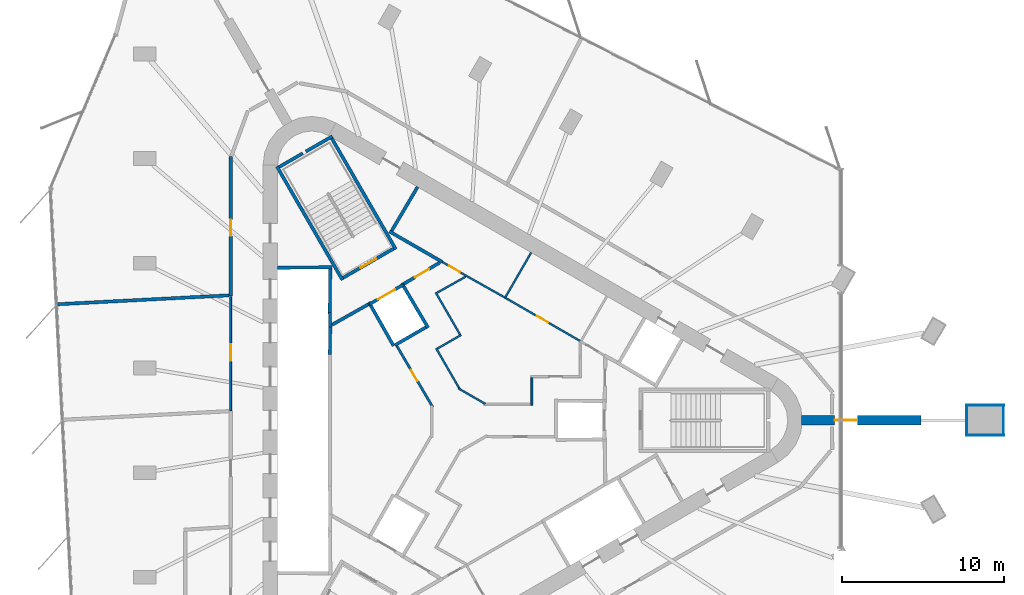
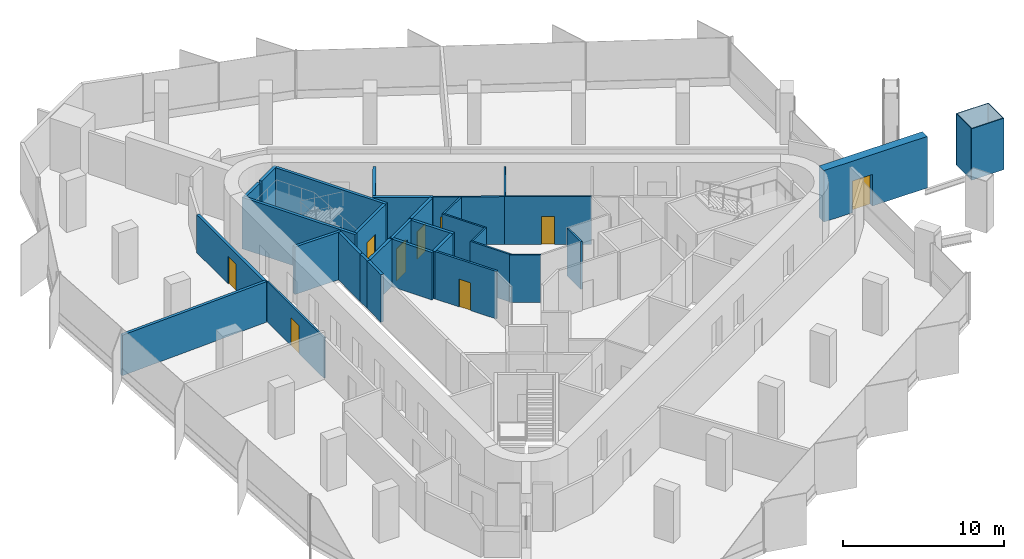
# One storey, part 9 of 12: 36 walls, 9 doors, 9 openings.
"""IFC4 building model written with IfcOpenShell, lengths in metres."""

from ifc_helpers import new_model, si_unit, direction, frame, frame_2d, origin, place, context, subcontext, project, spatial, rectangle, extrude, material, layer, layer_set, type_object, element, fill, save


model = new_model("IFC4")

# Units and contexts
model_context = context("Model", 3, precision=1e-05, world=origin(), true_north=direction((0.0, 1.0)))
body_context = subcontext(model_context, "Body", "Model", "MODEL_VIEW")
ifc_project = project(units=[si_unit("LENGTHUNIT", "METRE"), si_unit("AREAUNIT", "SQUARE_METRE"), si_unit("VOLUMEUNIT", "CUBIC_METRE"), si_unit("PLANEANGLEUNIT", "RADIAN"), si_unit("MASSUNIT", "GRAM", prefix="KILO")], contexts=[model_context])

# Site, building, storey
site_placement = place(None, origin())
site = spatial("IfcSite", under=ifc_project, at=site_placement, CompositionType="ELEMENT")
building_placement = place(site_placement, origin())
building = spatial("IfcBuilding", under=site, at=building_placement, Name="Tanit Gate Tower", CompositionType="ELEMENT")
storey_placement = place(building_placement, frame((0.0, 0.0, 365.0)))
storey = spatial("IfcBuildingStorey", under=building, at=storey_placement, Name="L83", CompositionType="ELEMENT", Elevation=365.0)

# Wall, opening, door
ifc_material_1 = material(Name="Concrete C40/50", Category="concrete")
ifc_layer_1 = layer(ifc_material_1, 0.60009765625)
ifc_layer_set_1 = layer_set([ifc_layer_1], Name="BUTTRESS FIN 600 C40/50")
wall_type_1 = type_object("IfcWallType", Name="BUTTRESS FIN 600 C40/50", PredefinedType="SHEAR", material=ifc_layer_set_1)
wall_1_placement = place(storey_placement, frame((21.14990234375, 0.0, 0.0), z_axis=(0.0, 0.0, 1.0), x_axis=(1.0, 0.0, 0.0)))
wall_1 = element("IfcWall", 1, at=wall_1_placement, inside=storey, type_object=wall_type_1, Name="BUTTRESS FIN", PredefinedType="SHEAR", context=body_context, shape_type="SweptSolid", body=[
    extrude(rectangle(XDim=7.387939453125, YDim=0.60009765625, at=frame_2d((3.69384765625, 0.0))), origin(), (0.0, 0.0, 1.0), 3.89990234375),
])
opening_1_placement = place(wall_1_placement, frame((2.050048828125, 0.0, 0.0)))
opening_1 = element("IfcOpeningElement", 2, at=opening_1_placement, cuts=wall_1, Name="Opening P14-83-F-E-1", PredefinedType="OPENING", context=body_context, shape_type="SweptSolid", body=[
    extrude(rectangle(XDim=1.39990234375, YDim=2.39990234375, at=frame_2d((0.699951171875, 1.199951171875))), frame((0.0, 0.31005859375, 0.0), z_axis=(0.0, -1.0, 0.0), x_axis=(1.0, 0.0, 0.0)), (0.0, 0.0, 1.0), 0.6201171875),
])
ifc_material_2 = material(Name="Timber door leaf", Category="wood")
door_type_1 = type_object("IfcDoorType", Name="INT-DOOR-FIN-PAIR-1400", OperationType="NOTDEFINED", PredefinedType="NOTDEFINED", material=ifc_material_2)
door_1_placement = place(opening_1_placement, origin())
door_1 = element("IfcDoor", 3, at=door_1_placement, inside=storey, type_object=door_type_1, Name="Door P14-83-F-E-1", OperationType="DOUBLE_DOOR_SINGLE_SWING", OverallHeight=2.39990234375, OverallWidth=1.39990234375, PredefinedType="NOTDEFINED", context=body_context, shape_type="SweptSolid", body=[
    extrude(rectangle(XDim=1.39990234375, YDim=2.39990234375, at=frame_2d((0.699951171875, 1.199951171875))), frame((0.0, 0.02490234375, 0.0), z_axis=(0.0, -1.0, 0.0), x_axis=(1.0, 0.0, 0.0)), (0.0, 0.0, 1.0), 0.050048828125),
])
fill(opening_1, door_1)

# Walls
ifc_material_3 = material(Name="Bronze anodised aluminium cladding", Category="aluminium")
ifc_layer_2 = layer(ifc_material_3, 0.06005859375)
ifc_layer_set_2 = layer_set([ifc_layer_2], Name="Column casing bronze 60")
wall_type_2 = type_object("IfcWallType", Name="Column casing bronze 60", PredefinedType="SOLIDWALL", material=ifc_layer_set_2)
for number, where, z_axis, x_axis, name in (
    (4, (31.33154296875, 0.929931640625, 0.0), (0.0, 0.0, 1.0), (1.0, 0.0, 0.0), "Column casing L83 M-E.L1"),
    (5, (31.33154296875, -0.929931640625, 0.0), (0.0, 0.0, 1.0), (1.0, 0.0, 0.0), "Column casing L83 M-E.L2"),
):
    element("IfcWall", number, at=place(storey_placement, frame(where, z_axis=z_axis, x_axis=x_axis)), inside=storey, type_object=wall_type_2, Name=name, PredefinedType="SOLIDWALL", context=body_context, shape_type="SweptSolid", body=[
        extrude(rectangle(XDim=2.320068359375, YDim=0.06005859375, at=frame_2d((1.16015625, 0.0))), origin(), (0.0, 0.0, 1.0), 3.89990234375),
    ])
for number, where, z_axis, x_axis, name in (
    (6, (33.62158203125, -0.89990234375, 0.0), (0.0, 0.0, 1.0), (0.0, 1.0, 0.0), "Column casing L83 M-E.S1"),
    (7, (31.361572265625, -0.89990234375, 0.0), (0.0, 0.0, 1.0), (0.0, 1.0, 0.0), "Column casing L83 M-E.S2"),
):
    element("IfcWall", number, at=place(storey_placement, frame(where, z_axis=z_axis, x_axis=x_axis)), inside=storey, type_object=wall_type_2, Name=name, PredefinedType="SOLIDWALL", context=body_context, shape_type="SweptSolid", body=[
        extrude(rectangle(XDim=1.7998046875, YDim=0.06005859375, at=frame_2d((0.89990234375, 0.0))), origin(), (0.0, 0.0, 1.0), 3.89990234375),
    ])
ifc_material_4 = material(Name="Fire-rated gypsum board partition")
ifc_layer_3 = layer(ifc_material_4, 0.199951171875)
ifc_layer_set_3 = layer_set([ifc_layer_3], Name="INT-WALL-COMPARTMENT")
wall_type_3 = type_object("IfcWallType", Name="INT-WALL-COMPARTMENT", PredefinedType="PARTITIONING", material=ifc_layer_set_3)
wall_2_placement = place(storey_placement, frame((-4.295654296875, 11.659912109375, 0.0), z_axis=(0.0, 0.0, 1.0), x_axis=(0.866027389382, -0.499996560828, 0.0)))
element("IfcWall", 8, at=wall_2_placement, inside=storey, type_object=wall_type_3, Name="Wall Compartment W052", PredefinedType="PARTITIONING", context=body_context, shape_type="SweptSolid", body=[
    extrude(rectangle(XDim=3.77783203125, YDim=0.199951171875, at=frame_2d((1.888916015625, 0.0))), origin(), (0.0, 0.0, 1.0), 3.60009765625),
])
wall_3_placement = place(storey_placement, frame((-2.557861328125, 14.409423828125, 0.0), z_axis=(0.0, 0.0, 1.0), x_axis=(-0.508018930956, -0.861345903683, 0.0)))
element("IfcWall", 9, at=wall_3_placement, inside=storey, type_object=wall_type_3, Name="Wall Compartment W053", PredefinedType="PARTITIONING", context=body_context, shape_type="SweptSolid", body=[
    extrude(rectangle(XDim=3.150146484375, YDim=0.199951171875, at=frame_2d((1.5751953125, 0.0))), origin(), (0.0, 0.0, 1.0), 3.60009765625),
])
wall_4_placement = place(storey_placement, frame((-5.600341796875, 7.16015625, 0.0), z_axis=(0.0, 0.0, 1.0), x_axis=(-0.871340486379, -0.490678873396, 0.0)))
element("IfcWall", 10, at=wall_4_placement, inside=storey, type_object=wall_type_3, Name="Wall Compartment W065", PredefinedType="PARTITIONING", context=body_context, shape_type="SweptSolid", body=[
    extrude(rectangle(XDim=2.580810546875, YDim=0.199951171875, at=frame_2d((1.29052734375, 0.0))), origin(), (0.0, 0.0, 1.0), 3.60009765625),
])

# Wall, opening, door
wall_5_placement = place(storey_placement, frame((-1.1787109375, 9.744873046875, 0.0), z_axis=(0.0, 0.0, 1.0), x_axis=(-0.860630814782, -0.509229418482, 0.0)))
wall_5 = element("IfcWall", 11, at=wall_5_placement, inside=storey, type_object=wall_type_3, Name="Wall Compartment W066", PredefinedType="PARTITIONING", context=body_context, shape_type="SweptSolid", body=[
    extrude(rectangle(XDim=2.581787109375, YDim=0.199951171875, at=frame_2d((1.291015625, 0.0))), origin(), (0.0, 0.0, 1.0), 3.60009765625),
])
opening_2_placement = place(wall_5_placement, frame((0.791015625, 0.0, 0.0)))
opening_2 = element("IfcOpeningElement", 12, at=opening_2_placement, cuts=wall_5, Name="Opening F10-83-05", PredefinedType="OPENING", context=body_context, shape_type="SweptSolid", body=[
    extrude(rectangle(XDim=1.0, YDim=2.10009765625, at=frame_2d((0.5, 1.050048828125))), frame((0.0, 0.10986328125, 0.0), z_axis=(0.0, -1.0, 0.0), x_axis=(1.0, 0.0, 0.0)), (0.0, 0.0, 1.0), 0.219970703125),
])
ifc_material_5 = material(Name="Fire-rated steel door leaf", Category="steel")
door_type_2 = type_object("IfcDoorType", Name="INT-DOOR-FIRE-1000", OperationType="NOTDEFINED", PredefinedType="USERDEFINED", material=ifc_material_5)
door_2_placement = place(opening_2_placement, origin())
door_2 = element("IfcDoor", 13, at=door_2_placement, inside=storey, type_object=door_type_2, Name="Door F10-83-05", ObjectType="FIRE DOOR", OperationType="SINGLE_SWING_RIGHT", OverallHeight=2.10009765625, OverallWidth=1.0, PredefinedType="USERDEFINED", context=body_context, shape_type="SweptSolid", body=[
    extrude(rectangle(XDim=1.0, YDim=2.10009765625, at=frame_2d((0.5, 1.050048828125))), frame((0.0, 0.02490234375, 0.0), z_axis=(0.0, -1.0, 0.0), x_axis=(1.0, 0.0, 0.0)), (0.0, 0.0, 1.0), 0.050048828125),
])
fill(opening_2, door_2)

wall_6_placement = place(storey_placement, frame((-14.10009765625, 16.293701171875, 0.0), z_axis=(0.0, 0.0, 1.0), x_axis=(0.0, -1.0, 0.0)))
wall_6 = element("IfcWall", 14, at=wall_6_placement, inside=storey, type_object=wall_type_3, Name="Wall Compartment W087", PredefinedType="PARTITIONING", context=body_context, shape_type="SweptSolid", body=[
    extrude(rectangle(XDim=8.63330078125, YDim=0.199951171875, at=frame_2d((4.316650390625, 0.0))), origin(), (0.0, 0.0, 1.0), 2.8798828125),
])
opening_3_placement = place(wall_6_placement, frame((3.89990234375, 0.0, 0.0)))
opening_3 = element("IfcOpeningElement", 15, at=opening_3_placement, cuts=wall_6, Name="Opening F10-83-19", PredefinedType="OPENING", context=body_context, shape_type="SweptSolid", body=[
    extrude(rectangle(XDim=1.0, YDim=2.10009765625, at=frame_2d((0.5, 1.050048828125))), frame((0.0, 0.10986328125, 0.0), z_axis=(0.0, -1.0, 0.0), x_axis=(1.0, 0.0, 0.0)), (0.0, 0.0, 1.0), 0.219970703125),
])
door_3_placement = place(opening_3_placement, origin())
door_3 = element("IfcDoor", 16, at=door_3_placement, inside=storey, type_object=door_type_2, Name="Door F10-83-19", ObjectType="FIRE DOOR", OperationType="SINGLE_SWING_RIGHT", OverallHeight=2.10009765625, OverallWidth=1.0, PredefinedType="USERDEFINED", context=body_context, shape_type="SweptSolid", body=[
    extrude(rectangle(XDim=1.0, YDim=2.10009765625, at=frame_2d((0.5, 1.050048828125))), frame((0.0, 0.02490234375, 0.0), z_axis=(0.0, -1.0, 0.0), x_axis=(1.0, 0.0, 0.0)), (0.0, 0.0, 1.0), 0.050048828125),
])
fill(opening_3, door_3)

# Walls
wall_7_placement = place(storey_placement, frame((-24.857666015625, 7.161865234375, 0.0), z_axis=(0.0, 0.0, 1.0), x_axis=(0.998654301948, 0.051861210943, 0.0)))
element("IfcWall", 17, at=wall_7_placement, inside=storey, type_object=wall_type_3, Name="Wall Compartment W096", PredefinedType="PARTITIONING", context=body_context, shape_type="SweptSolid", body=[
    extrude(rectangle(XDim=10.672119140625, YDim=0.199951171875, at=frame_2d((5.3359375, 0.0))), origin(), (0.0, 0.0, 1.0), 3.070068359375),
])
ifc_material_6 = material(Name="Gypsum board partition")
ifc_layer_4 = layer(ifc_material_6, 0.1201171875)
ifc_layer_set_4 = layer_set([ifc_layer_4], Name="INT-WALL-PARTITION")
wall_type_4 = type_object("IfcWallType", Name="INT-WALL-PARTITION", PredefinedType="PARTITIONING", material=ifc_layer_set_4)
wall_8_placement = place(storey_placement, frame((2.831787109375, 7.544921875, 0.0), z_axis=(0.0, 0.0, 1.0), x_axis=(0.500017246033, 0.866015446554, 0.0)))
element("IfcWall", 18, at=wall_8_placement, inside=storey, type_object=wall_type_4, Name="Wall Partition W050", PredefinedType="PARTITIONING", context=body_context, shape_type="SweptSolid", body=[
    extrude(rectangle(XDim=3.25, YDim=0.1201171875, at=frame_2d((1.625, 0.0))), origin(), (0.0, 0.0, 1.0), 3.60009765625),
])

# Wall, opening, door
wall_9_placement = place(storey_placement, frame((7.497314453125, 4.885986328125, 0.0), z_axis=(0.0, 0.0, 1.0), x_axis=(-0.866028230842, 0.499995103361, 0.0)))
wall_9 = element("IfcWall", 19, at=wall_9_placement, inside=storey, type_object=wall_type_4, Name="Wall Partition W051", PredefinedType="PARTITIONING", context=body_context, shape_type="SweptSolid", body=[
    extrude(rectangle(XDim=5.39990234375, YDim=0.1201171875, at=frame_2d((2.699951171875, 0.0))), origin(), (0.0, 0.0, 1.0), 3.60009765625),
])
opening_4_placement = place(wall_9_placement, frame((2.300048828125, 0.0, 0.0)))
opening_4 = element("IfcOpeningElement", 20, at=opening_4_placement, cuts=wall_9, Name="Opening R08-83-14", PredefinedType="OPENING", context=body_context, shape_type="SweptSolid", body=[
    extrude(rectangle(XDim=0.800048828125, YDim=2.10009765625, at=frame_2d((0.39990234375, 1.050048828125))), frame((0.0, 0.070068359375, 0.0), z_axis=(0.0, -1.0, 0.0), x_axis=(1.0, 0.0, 0.0)), (0.0, 0.0, 1.0), 0.14013671875),
])
ifc_material_7 = material(Name="Timber door leaf", Category="wood")
door_type_3 = type_object("IfcDoorType", Name="INT-DOOR-RISER-800", OperationType="NOTDEFINED", PredefinedType="USERDEFINED", material=ifc_material_7)
door_4_placement = place(opening_4_placement, origin())
door_4 = element("IfcDoor", 21, at=door_4_placement, inside=storey, type_object=door_type_3, Name="Door R08-83-14", ObjectType="FIRE DOOR", OperationType="SINGLE_SWING_LEFT", OverallHeight=2.10009765625, OverallWidth=0.800048828125, PredefinedType="USERDEFINED", context=body_context, shape_type="SweptSolid", body=[
    extrude(rectangle(XDim=0.800048828125, YDim=2.10009765625, at=frame_2d((0.39990234375, 1.050048828125))), frame((0.0, 0.02490234375, 0.0), z_axis=(0.0, -1.0, 0.0), x_axis=(1.0, 0.0, 0.0)), (0.0, 0.0, 1.0), 0.050048828125),
])
fill(opening_4, door_4)

# Wall
wall_10_placement = place(storey_placement, frame((2.82080078125, 7.5859375, 0.0), z_axis=(0.0, 0.0, 1.0), x_axis=(-0.871426548871, 0.490526013503, 0.0)))
element("IfcWall", 22, at=wall_10_placement, inside=storey, type_object=wall_type_4, Name="Wall Partition W054", PredefinedType="PARTITIONING", context=body_context, shape_type="SweptSolid", body=[
    extrude(rectangle(XDim=2.670166015625, YDim=0.1201171875, at=frame_2d((1.3349609375, 0.0))), origin(), (0.0, 0.0, 1.0), 3.60009765625),
])

# Wall, opening, door
wall_11_placement = place(storey_placement, frame((-1.02392578125, 9.77099609375, 0.0), z_axis=(0.0, 0.0, 1.0), x_axis=(0.866039397417, -0.499975761534, 0.0)))
wall_11 = element("IfcWall", 23, at=wall_11_placement, inside=storey, type_object=wall_type_4, Name="Wall Partition W055", PredefinedType="PARTITIONING", context=body_context, shape_type="SweptSolid", body=[
    extrude(rectangle(XDim=1.751953125, YDim=0.1201171875, at=frame_2d((0.8759765625, 0.0))), origin(), (0.0, 0.0, 1.0), 3.60009765625),
])
opening_5_placement = place(wall_11_placement, frame((0.4658203125, 0.0, 0.0)))
opening_5 = element("IfcOpeningElement", 24, at=opening_5_placement, cuts=wall_11, Name="Opening R08-83-15", PredefinedType="OPENING", context=body_context, shape_type="SweptSolid", body=[
    extrude(rectangle(XDim=0.800048828125, YDim=2.10009765625, at=frame_2d((0.39990234375, 1.050048828125))), frame((0.0, 0.070068359375, 0.0), z_axis=(0.0, -1.0, 0.0), x_axis=(1.0, 0.0, 0.0)), (0.0, 0.0, 1.0), 0.14013671875),
])
door_5_placement = place(opening_5_placement, origin())
door_5 = element("IfcDoor", 25, at=door_5_placement, inside=storey, type_object=door_type_3, Name="Door R08-83-15", ObjectType="FIRE DOOR", OperationType="SINGLE_SWING_RIGHT", OverallHeight=2.10009765625, OverallWidth=0.800048828125, PredefinedType="USERDEFINED", context=body_context, shape_type="SweptSolid", body=[
    extrude(rectangle(XDim=0.800048828125, YDim=2.10009765625, at=frame_2d((0.39990234375, 1.050048828125))), frame((0.0, 0.02490234375, 0.0), z_axis=(0.0, -1.0, 0.0), x_axis=(1.0, 0.0, 0.0)), (0.0, 0.0, 1.0), 0.050048828125),
])
fill(opening_5, door_5)

# Walls
wall_12_placement = place(storey_placement, frame((4.5, 0.93994140625, 0.0), z_axis=(0.0, 0.0, 1.0), x_axis=(0.0, 1.0, 0.0)))
element("IfcWall", 26, at=wall_12_placement, inside=storey, type_object=wall_type_4, Name="Wall Partition W080", PredefinedType="PARTITIONING", context=body_context, shape_type="SweptSolid", body=[
    extrude(rectangle(XDim=1.699951171875, YDim=0.1201171875, at=frame_2d((0.85009765625, 0.0))), origin(), (0.0, 0.0, 1.0), 3.60009765625),
])
wall_13_placement = place(storey_placement, frame((-0.046630859375, 1.97705078125, 0.0), z_axis=(0.0, 0.0, 1.0), x_axis=(0.865998615205, -0.500046396311, 0.0)))
element("IfcWall", 27, at=wall_13_placement, inside=storey, type_object=wall_type_4, Name="Wall Partition W082", PredefinedType="PARTITIONING", context=body_context, shape_type="SweptSolid", body=[
    extrude(rectangle(XDim=1.935302734375, YDim=0.1201171875, at=frame_2d((0.9677734375, 0.0))), origin(), (0.0, 0.0, 1.0), 3.60009765625),
])
wall_14_placement = place(storey_placement, frame((-1.4140625, 4.448974609375, 0.0), z_axis=(0.0, 0.0, 1.0), x_axis=(0.500028961621, -0.866008682139, 0.0)))
element("IfcWall", 28, at=wall_14_placement, inside=storey, type_object=wall_type_4, Name="Wall Partition W083", PredefinedType="PARTITIONING", context=body_context, shape_type="SweptSolid", body=[
    extrude(rectangle(XDim=2.895751953125, YDim=0.1201171875, at=frame_2d((1.44775390625, 0.0))), origin(), (0.0, 0.0, 1.0), 3.60009765625),
])
wall_15_placement = place(storey_placement, frame((0.14013671875, 5.277099609375, 0.0), z_axis=(0.0, 0.0, 1.0), x_axis=(-0.865989465428, -0.500062241894, 0.0)))
element("IfcWall", 29, at=wall_15_placement, inside=storey, type_object=wall_type_4, Name="Wall Partition W084", PredefinedType="PARTITIONING", context=body_context, shape_type="SweptSolid", body=[
    extrude(rectangle(XDim=1.699951171875, YDim=0.1201171875, at=frame_2d((0.85009765625, 0.0))), origin(), (0.0, 0.0, 1.0), 3.60009765625),
])
wall_16_placement = place(storey_placement, frame((-1.441650390625, 7.897216796875, 0.0), z_axis=(0.0, 0.0, 1.0), x_axis=(0.499990139034, -0.866031096941, 0.0)))
element("IfcWall", 30, at=wall_16_placement, inside=storey, type_object=wall_type_4, Name="Wall Partition W085", PredefinedType="PARTITIONING", context=body_context, shape_type="SweptSolid", body=[
    extrude(rectangle(XDim=3.0, YDim=0.1201171875, at=frame_2d((1.5, 0.0))), origin(), (0.0, 0.0, 1.0), 3.60009765625),
])
wall_17_placement = place(storey_placement, frame((0.414306640625, 8.87109375, 0.0), z_axis=(0.0, 0.0, 1.0), x_axis=(-0.871809386997, -0.48984527429, 0.0)))
element("IfcWall", 31, at=wall_17_placement, inside=storey, type_object=wall_type_4, Name="Wall Partition W086", PredefinedType="PARTITIONING", context=body_context, shape_type="SweptSolid", body=[
    extrude(rectangle(XDim=2.034423828125, YDim=0.1201171875, at=frame_2d((1.01708984375, 0.0))), origin(), (0.0, 0.0, 1.0), 3.60009765625),
])

# Wall, opening, door
wall_18_placement = place(storey_placement, frame((-14.10009765625, 7.620361328125, 0.0), z_axis=(0.0, 0.0, 1.0), x_axis=(0.0, -1.0, 0.0)))
wall_18 = element("IfcWall", 32, at=wall_18_placement, inside=storey, type_object=wall_type_4, Name="Wall Partition W090", PredefinedType="PARTITIONING", context=body_context, shape_type="SweptSolid", body=[
    extrude(rectangle(XDim=7.029541015625, YDim=0.1201171875, at=frame_2d((3.5146484375, 0.0))), origin(), (0.0, 0.0, 1.0), 3.070068359375),
])
opening_6_placement = place(wall_18_placement, frame((2.931396484375, 0.0, 0.0)))
opening_6 = element("IfcOpeningElement", 33, at=opening_6_placement, cuts=wall_18, Name="Opening D10-83-20", PredefinedType="OPENING", context=body_context, shape_type="SweptSolid", body=[
    extrude(rectangle(XDim=1.0, YDim=2.10009765625, at=frame_2d((0.5, 1.050048828125))), frame((0.0, 0.070068359375, 0.0), z_axis=(0.0, -1.0, 0.0), x_axis=(1.0, 0.0, 0.0)), (0.0, 0.0, 1.0), 0.14013671875),
])
ifc_material_8 = material(Name="Timber door leaf", Category="wood")
door_type_4 = type_object("IfcDoorType", Name="INT-DOOR-SINGLE-1000", OperationType="NOTDEFINED", PredefinedType="NOTDEFINED", material=ifc_material_8)
door_6_placement = place(opening_6_placement, origin())
door_6 = element("IfcDoor", 34, at=door_6_placement, inside=storey, type_object=door_type_4, Name="Door D10-83-20", OperationType="SINGLE_SWING_RIGHT", OverallHeight=2.10009765625, OverallWidth=1.0, PredefinedType="NOTDEFINED", context=body_context, shape_type="SweptSolid", body=[
    extrude(rectangle(XDim=1.0, YDim=2.10009765625, at=frame_2d((0.5, 1.050048828125))), frame((0.0, 0.02490234375, 0.0), z_axis=(0.0, -1.0, 0.0), x_axis=(1.0, 0.0, 0.0)), (0.0, 0.0, 1.0), 0.050048828125),
])
fill(opening_6, door_6)

ifc_material_9 = material(Name="Fire-rated gypsum board partition")
ifc_layer_5 = layer(ifc_material_9, 0.14990234375)
ifc_layer_set_5 = layer_set([ifc_layer_5], Name="INT-WALL-RISER")
wall_type_5 = type_object("IfcWallType", Name="INT-WALL-RISER", PredefinedType="PLUMBINGWALL", material=ifc_layer_set_5)
wall_19_placement = place(storey_placement, frame((-1.6240234375, 0.814697265625, 0.0), z_axis=(0.0, 0.0, 1.0), x_axis=(-0.505868173579, 0.862610799237, 0.0)))
wall_19 = element("IfcWall", 35, at=wall_19_placement, inside=storey, type_object=wall_type_5, Name="Wall Riser W069", PredefinedType="PLUMBINGWALL", context=body_context, shape_type="SweptSolid", body=[
    extrude(rectangle(XDim=4.382568359375, YDim=0.14990234375, at=frame_2d((2.19140625, 0.0))), origin(), (0.0, 0.0, 1.0), 3.60009765625),
])
opening_7_placement = place(wall_19_placement, frame((1.855224609375, 0.0, 0.0)))
opening_7 = element("IfcOpeningElement", 36, at=opening_7_placement, cuts=wall_19, Name="Opening R08-83-10", PredefinedType="OPENING", context=body_context, shape_type="SweptSolid", body=[
    extrude(rectangle(XDim=0.800048828125, YDim=2.10009765625, at=frame_2d((0.39990234375, 1.050048828125))), frame((0.0, 0.0849609375, 0.0), z_axis=(0.0, -1.0, 0.0), x_axis=(1.0, 0.0, 0.0)), (0.0, 0.0, 1.0), 0.169921875),
])
door_7_placement = place(opening_7_placement, origin())
door_7 = element("IfcDoor", 37, at=door_7_placement, inside=storey, type_object=door_type_3, Name="Door R08-83-10", ObjectType="FIRE DOOR", OperationType="SINGLE_SWING_RIGHT", OverallHeight=2.10009765625, OverallWidth=0.800048828125, PredefinedType="USERDEFINED", context=body_context, shape_type="SweptSolid", body=[
    extrude(rectangle(XDim=0.800048828125, YDim=2.10009765625, at=frame_2d((0.39990234375, 1.050048828125))), frame((0.0, 0.02490234375, 0.0), z_axis=(0.0, -1.0, 0.0), x_axis=(1.0, 0.0, 0.0)), (0.0, 0.0, 1.0), 0.050048828125),
])
fill(opening_7, door_7)

# Walls
ifc_material_10 = material(Name="Gypsum shaft wall system")
ifc_layer_6 = layer(ifc_material_10, 0.199951171875)
ifc_layer_set_6 = layer_set([ifc_layer_6], Name="INT-WALL-SHAFT")
wall_type_6 = type_object("IfcWallType", Name="INT-WALL-SHAFT", PredefinedType="PLUMBINGWALL", material=ifc_layer_set_6)
wall_20_placement = place(storey_placement, frame((-11.199951171875, 9.419921875, 0.0), z_axis=(0.0, 0.0, 1.0), x_axis=(0.999957167047, 0.009255488683, 0.0)))
element("IfcWall", 38, at=wall_20_placement, inside=storey, type_object=wall_type_6, Name="Wall Shaft W001", PredefinedType="PLUMBINGWALL", context=body_context, shape_type="SweptSolid", body=[
    extrude(rectangle(XDim=3.35009765625, YDim=0.199951171875, at=frame_2d((1.675048828125, 0.0))), origin(), (0.0, 0.0, 1.0), 3.60009765625),
])
wall_21_placement = place(storey_placement, frame((-7.951171875, 9.35009765625, 0.0), z_axis=(0.0, 0.0, 1.0), x_axis=(-0.011120469654, -0.999938165666, 0.0)))
element("IfcWall", 39, at=wall_21_placement, inside=storey, type_object=wall_type_6, Name="Wall Shaft W002", PredefinedType="PLUMBINGWALL", context=body_context, shape_type="SweptSolid", body=[
    extrude(rectangle(XDim=2.700439453125, YDim=0.199951171875, at=frame_2d((1.35009765625, 0.0))), origin(), (0.0, 0.0, 1.0), 3.60009765625),
])
wall_22_placement = place(storey_placement, frame((-7.97705078125, 6.650146484375, 0.0), z_axis=(0.0, 0.0, 1.0), x_axis=(0.030861509705, -0.999523670164, 0.0)))
element("IfcWall", 40, at=wall_22_placement, inside=storey, type_object=wall_type_6, Name="Wall Shaft W003", PredefinedType="PLUMBINGWALL", context=body_context, shape_type="SweptSolid", body=[
    extrude(rectangle(XDim=0.878173828125, YDim=0.199951171875, at=frame_2d((0.43896484375, 0.0))), origin(), (0.0, 0.0, 1.0), 3.60009765625),
])
wall_23_placement = place(storey_placement, frame((-7.948974609375, 5.894287109375, 0.0), z_axis=(0.0, 0.0, 1.0), x_axis=(-0.016809909365, -0.999858703491, 0.0)))
element("IfcWall", 41, at=wall_23_placement, inside=storey, type_object=wall_type_6, Name="Wall Shaft W004", PredefinedType="PLUMBINGWALL", context=body_context, shape_type="SweptSolid", body=[
    extrude(rectangle(XDim=1.844482421875, YDim=0.199951171875, at=frame_2d((0.92236328125, 0.0))), origin(), (0.0, 0.0, 1.0), 3.60009765625),
])

# Wall, opening, door
wall_24_placement = place(storey_placement, frame((-5.524169921875, 7.168212890625, 0.0), z_axis=(0.0, 0.0, 1.0), x_axis=(0.866024647952, 0.500001309137, 0.0)))
wall_24 = element("IfcWall", 42, at=wall_24_placement, inside=storey, type_object=wall_type_6, Name="Wall Shaft W034", PredefinedType="PLUMBINGWALL", context=body_context, shape_type="SweptSolid", body=[
    extrude(rectangle(XDim=2.39990234375, YDim=0.199951171875, at=frame_2d((1.199951171875, 0.0))), origin(), (0.0, 0.0, 1.0), 3.60009765625),
])
opening_8_placement = place(wall_24_placement, frame((0.60009765625, 0.0, 0.0)))
opening_8 = element("IfcOpeningElement", 43, at=opening_8_placement, cuts=wall_24, Name="Opening LDFL2-L83", PredefinedType="OPENING", context=body_context, shape_type="SweptSolid", body=[
    extrude(rectangle(XDim=1.199951171875, YDim=2.39990234375, at=frame_2d((0.60009765625, 1.199951171875))), frame((0.0, 0.10986328125, 0.0), z_axis=(0.0, -1.0, 0.0), x_axis=(1.0, 0.0, 0.0)), (0.0, 0.0, 1.0), 0.219970703125),
])
ifc_material_11 = material(Name="Stainless steel sliding door leaf", Category="steel")
door_type_5 = type_object("IfcDoorType", Name="INT-DOOR-LANDING-1200", OperationType="NOTDEFINED", PredefinedType="USERDEFINED", material=ifc_material_11)
door_8_placement = place(opening_8_placement, origin())
door_8 = element("IfcDoor", 44, at=door_8_placement, inside=storey, type_object=door_type_5, Name="Door LDFL2-L83", ObjectType="LANDING DOOR", OperationType="SLIDING_TO_LEFT", OverallHeight=2.39990234375, OverallWidth=1.199951171875, PredefinedType="USERDEFINED", context=body_context, shape_type="SweptSolid", body=[
    extrude(rectangle(XDim=1.199951171875, YDim=2.39990234375, at=frame_2d((0.60009765625, 1.199951171875))), frame((0.0, 0.02490234375, 0.0), z_axis=(0.0, -1.0, 0.0), x_axis=(1.0, 0.0, 0.0)), (0.0, 0.0, 1.0), 0.050048828125),
])
fill(opening_8, door_8)

# Walls
wall_25_placement = place(storey_placement, frame((-4.039306640625, 4.59619140625, 0.0), z_axis=(0.0, 0.0, 1.0), x_axis=(-0.491322718731, 0.870977603649, 0.0)))
element("IfcWall", 45, at=wall_25_placement, inside=storey, type_object=wall_type_6, Name="Wall Shaft W035", PredefinedType="PLUMBINGWALL", context=body_context, shape_type="SweptSolid", body=[
    extrude(rectangle(XDim=3.10009765625, YDim=0.199951171875, at=frame_2d((1.550048828125, 0.0))), origin(), (0.0, 0.0, 1.0), 3.60009765625),
])
wall_26_placement = place(storey_placement, frame((-3.53759765625, 8.46533203125, 0.0), z_axis=(0.0, 0.0, 1.0), x_axis=(0.508616218331, -0.860993346345, 0.0)))
element("IfcWall", 46, at=wall_26_placement, inside=storey, type_object=wall_type_6, Name="Wall Shaft W036", PredefinedType="PLUMBINGWALL", context=body_context, shape_type="SweptSolid", body=[
    extrude(rectangle(XDim=3.2001953125, YDim=0.199951171875, at=frame_2d((1.60009765625, 0.0))), origin(), (0.0, 0.0, 1.0), 3.60009765625),
])
wall_27_placement = place(storey_placement, frame((-2.04736328125, 5.74609375, 0.0), z_axis=(0.0, 0.0, 1.0), x_axis=(-0.866019606374, -0.500010041276, 0.0)))
element("IfcWall", 47, at=wall_27_placement, inside=storey, type_object=wall_type_6, Name="Wall Shaft W037", PredefinedType="PLUMBINGWALL", context=body_context, shape_type="SweptSolid", body=[
    extrude(rectangle(XDim=2.20458984375, YDim=0.199951171875, at=frame_2d((1.102294921875, 0.0))), origin(), (0.0, 0.0, 1.0), 3.60009765625),
])
ifc_material_12 = material(Name="Concrete C40/50", Category="concrete")
ifc_layer_7 = layer(ifc_material_12, 0.199951171875)
ifc_layer_set_7 = layer_set([ifc_layer_7], Name="INT-WALL-STAIR")
wall_type_7 = type_object("IfcWallType", Name="INT-WALL-STAIR", PredefinedType="SHEAR", material=ifc_layer_set_7)
wall_28_placement = place(storey_placement, frame((-11.245361328125, 15.677734375, -0.300048828125), z_axis=(0.0, 0.0, 1.0), x_axis=(0.499977274689, -0.866038523851, 0.0)))
element("IfcWall", 48, at=wall_28_placement, inside=storey, type_object=wall_type_7, Name="Wall Stair W029", PredefinedType="SHEAR", context=body_context, shape_type="SweptSolid", body=[
    extrude(rectangle(XDim=8.10009765625, YDim=0.199951171875, at=frame_2d((4.050048828125, 0.0))), origin(), (0.0, 0.0, 1.0), 3.900146484375),
])
wall_29_placement = place(storey_placement, frame((-7.81787109375, 17.541015625, -0.300048828125), z_axis=(0.0, 0.0, 1.0), x_axis=(-0.866088799389, -0.499890179513, 0.0)))
element("IfcWall", 49, at=wall_29_placement, inside=storey, type_object=wall_type_7, Name="Wall Stair W031", PredefinedType="SHEAR", context=body_context, shape_type="SweptSolid", body=[
    extrude(rectangle(XDim=1.89013671875, YDim=0.199951171875, at=frame_2d((0.945068359375, 0.0))), origin(), (0.0, 0.0, 1.0), 3.900146484375),
])
wall_30_placement = place(storey_placement, frame((-9.645263671875, 16.486083984375, -0.300048828125), z_axis=(0.0, 0.0, 1.0), x_axis=(-0.866038843867, -0.499976720371, 0.0)))
element("IfcWall", 50, at=wall_30_placement, inside=storey, type_object=wall_type_7, Name="Wall Stair W030", PredefinedType="SHEAR", context=body_context, shape_type="SweptSolid", body=[
    extrude(rectangle(XDim=1.68994140625, YDim=0.199951171875, at=frame_2d((0.844970703125, 0.0))), origin(), (0.0, 0.0, 1.0), 3.900146484375),
])
wall_31_placement = place(storey_placement, frame((-7.8544921875, 17.404541015625, -0.300048828125), z_axis=(0.0, 0.0, 1.0), x_axis=(0.499997992926, -0.866026562566, 0.0)))
element("IfcWall", 51, at=wall_31_placement, inside=storey, type_object=wall_type_7, Name="Wall Stair W032", PredefinedType="SHEAR", context=body_context, shape_type="SweptSolid", body=[
    extrude(rectangle(XDim=7.89990234375, YDim=0.199951171875, at=frame_2d((3.949951171875, 0.0))), origin(), (0.0, 0.0, 1.0), 3.900146484375),
])

# Wall, opening, door
wall_32_placement = place(storey_placement, frame((-7.158935546875, 8.799560546875, -0.300048828125), z_axis=(0.0, 0.0, 1.0), x_axis=(0.866047807691, 0.499961193289, 0.0)))
wall_32 = element("IfcWall", 52, at=wall_32_placement, inside=storey, type_object=wall_type_7, Name="Wall Stair W033", PredefinedType="SHEAR", context=body_context, shape_type="SweptSolid", body=[
    extrude(rectangle(XDim=3.599853515625, YDim=0.199951171875, at=frame_2d((1.7998046875, 0.0))), origin(), (0.0, 0.0, 1.0), 3.900146484375),
])
opening_9_placement = place(wall_32_placement, frame((1.25, 0.0, 0.300048828125)))
opening_9 = element("IfcOpeningElement", 53, at=opening_9_placement, cuts=wall_32, Name="Opening S11-83-04", PredefinedType="OPENING", context=body_context, shape_type="SweptSolid", body=[
    extrude(rectangle(XDim=1.10009765625, YDim=2.10009765625, at=frame_2d((0.550048828125, 1.050048828125))), frame((0.0, 0.10986328125, 0.0), z_axis=(0.0, -1.0, 0.0), x_axis=(1.0, 0.0, 0.0)), (0.0, 0.0, 1.0), 0.219970703125),
])
ifc_material_13 = material(Name="Timber door leaf", Category="wood")
door_type_6 = type_object("IfcDoorType", Name="INT-DOOR-STAIR-1100", OperationType="NOTDEFINED", PredefinedType="USERDEFINED", material=ifc_material_13)
door_9_placement = place(opening_9_placement, origin())
door_9 = element("IfcDoor", 54, at=door_9_placement, inside=storey, type_object=door_type_6, Name="Door S11-83-04", ObjectType="FIRE DOOR", OperationType="SINGLE_SWING_RIGHT", OverallHeight=2.10009765625, OverallWidth=1.10009765625, PredefinedType="USERDEFINED", context=body_context, shape_type="SweptSolid", body=[
    extrude(rectangle(XDim=1.10009765625, YDim=2.10009765625, at=frame_2d((0.550048828125, 1.050048828125))), frame((0.0, 0.02490234375, 0.0), z_axis=(0.0, -1.0, 0.0), x_axis=(1.0, 0.0, 0.0)), (0.0, 0.0, 1.0), 0.050048828125),
])
fill(opening_9, door_9)

save(model, "model.ifc")
